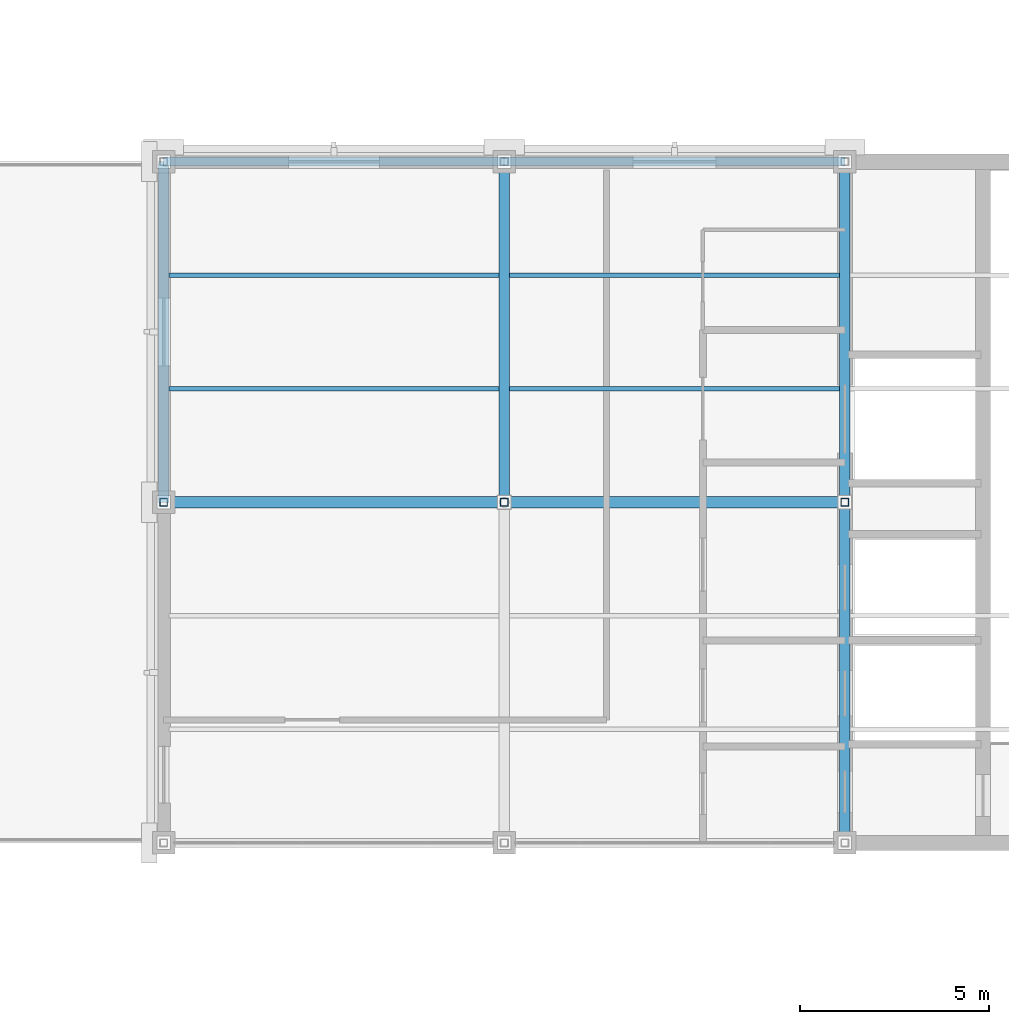
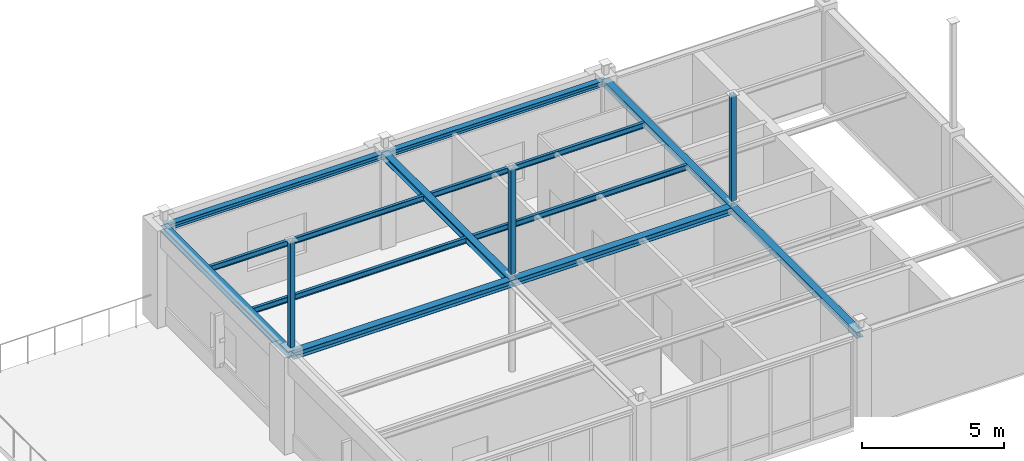
# One storey, part 63 of 97: 12 beams, 3 members.
"""IFC4 building model written with IfcOpenShell, lengths in metres."""

from ifc_helpers import new_model, si_unit, direction, frame, origin, origin_2d, place, context, subcontext, project, spatial, hollow_rectangle, i_section, extrude, material, material_profile, profile_set, type_object, element, save


model = new_model("IFC4")

# Units and contexts
model_context = context("Model", 3, precision=1e-05, world=origin(), true_north=direction((0.0, 1.0)))
body_context = subcontext(model_context, "Body", "Model", "MODEL_VIEW")
ifc_project = project(units=[si_unit("LENGTHUNIT", "METRE"), si_unit("AREAUNIT", "SQUARE_METRE"), si_unit("VOLUMEUNIT", "CUBIC_METRE"), si_unit("PLANEANGLEUNIT", "RADIAN"), si_unit("MASSUNIT", "GRAM", prefix="KILO")], contexts=[model_context])

# Site, building, storey
site_placement = place(None, origin())
site = spatial("IfcSite", under=ifc_project, at=site_placement, CompositionType="ELEMENT")
building_placement = place(site_placement, origin())
building = spatial("IfcBuilding", under=site, at=building_placement, Name="Lykobir Media Centre", CompositionType="ELEMENT")
storey_placement = place(building_placement, frame((0.0, 0.0, 23.39990234375)))
storey = spatial("IfcBuildingStorey", under=building, at=storey_placement, Name="L05", CompositionType="ELEMENT", Elevation=23.39990234375)

# Beams
ifc_material = material(Name="Steel S355", Category="steel")
ifc_material_profile_1 = material_profile(ifc_material, i_section(OverallWidth=0.280029296875, OverallDepth=0.27001953125, WebThickness=0.008056640625, FlangeThickness=0.012939453125, at=origin_2d()), Name="HEA 280")
ifc_profile_set_1 = profile_set([ifc_material_profile_1], Name="Steel S355")
beam_type_1 = type_object("IfcBeamType", Name="BM-HEA280", PredefinedType="BEAM", material=ifc_profile_set_1)
for number, where, z_axis, x_axis, name in (
    (1, (108.0, 81.0, 3.84521484375), (0.0, 1.0, 0.0), (-1.0, 0.0, 0.0), "Beam BM-L05-1080-0810-1080-0900-2724"),
    (2, (117.0, 81.0, 3.84521484375), (0.0, 1.0, 0.0), (-1.0, 0.0, 0.0), "Beam BM-L05-1170-0810-1170-0900-2724"),
    (3, (126.0, 72.0, 3.84521484375), (0.0, 1.0, 0.0), (-1.0, 0.0, 0.0), "Beam BM-L05-1260-0720-1260-0810-2724"),
    (4, (126.0, 81.0, 3.84521484375), (0.0, 1.0, 0.0), (-1.0, 0.0, 0.0), "Beam BM-L05-1260-0810-1260-0900-2724"),
):
    element("IfcBeam", number, at=place(storey_placement, frame(where, z_axis=z_axis, x_axis=x_axis)), inside=storey, type_object=beam_type_1, Name=name, PredefinedType="BEAM", context=body_context, shape_type="SweptSolid", body=[
        extrude(i_section(OverallWidth=0.280029296875, OverallDepth=0.27001953125, WebThickness=0.008056640625, FlangeThickness=0.012939453125, at=origin_2d()), origin(), (0.0, 0.0, 1.0), 9.0),
    ])
ifc_material_profile_2 = material_profile(ifc_material, i_section(OverallWidth=0.300048828125, OverallDepth=0.2900390625, WebThickness=0.008544921875, FlangeThickness=0.013916015625, at=origin_2d()), Name="HEA 300")
ifc_profile_set_2 = profile_set([ifc_material_profile_2], Name="Steel S355")
beam_type_2 = type_object("IfcBeamType", Name="BM-HEA300", PredefinedType="BEAM", material=ifc_profile_set_2)
for number, where, z_axis, x_axis, name in (
    (5, (108.0, 81.0, 3.835205078125), (1.0, 0.0, 0.0), (0.0, 1.0, 0.0), "Beam BM-L05-1080-0810-1170-0810-2724"),
    (6, (117.0, 81.0, 3.835205078125), (1.0, 0.0, 0.0), (0.0, 1.0, 0.0), "Beam BM-L05-1170-0810-1260-0810-2724"),
):
    element("IfcBeam", number, at=place(storey_placement, frame(where, z_axis=z_axis, x_axis=x_axis)), inside=storey, type_object=beam_type_2, Name=name, PredefinedType="BEAM", context=body_context, shape_type="SweptSolid", body=[
        extrude(i_section(OverallWidth=0.300048828125, OverallDepth=0.2900390625, WebThickness=0.008544921875, FlangeThickness=0.013916015625, at=origin_2d()), origin(), (0.0, 0.0, 1.0), 9.0),
    ])
ifc_material_profile_3 = material_profile(ifc_material, i_section(OverallWidth=0.1201171875, OverallDepth=0.239990234375, WebThickness=0.006103515625, FlangeThickness=0.009765625, at=origin_2d()), Name="IPE 240")
ifc_profile_set_3 = profile_set([ifc_material_profile_3], Name="Steel S355")
beam_type_3 = type_object("IfcBeamType", Name="JS-IPE240", PredefinedType="JOIST", material=ifc_profile_set_3)
for number, where, z_axis, x_axis, name in (
    (7, (108.139892578125, 84.0, 3.860107421875), (1.0, 0.0, 0.0), (0.0, 1.0, 0.0), "Beam BM-L05-1081-0840-1169-0840-2726"),
    (8, (108.139892578125, 87.0, 3.860107421875), (1.0, 0.0, 0.0), (0.0, 1.0, 0.0), "Beam BM-L05-1081-0870-1169-0870-2726"),
    (9, (117.139892578125, 84.0, 3.860107421875), (1.0, 0.0, 0.0), (0.0, 1.0, 0.0), "Beam BM-L05-1171-0840-1259-0840-2726"),
    (10, (117.139892578125, 87.0, 3.860107421875), (1.0, 0.0, 0.0), (0.0, 1.0, 0.0), "Beam BM-L05-1171-0870-1259-0870-2726"),
):
    element("IfcBeam", number, at=place(storey_placement, frame(where, z_axis=z_axis, x_axis=x_axis)), inside=storey, type_object=beam_type_3, Name=name, PredefinedType="JOIST", context=body_context, shape_type="SweptSolid", body=[
        extrude(i_section(OverallWidth=0.1201171875, OverallDepth=0.239990234375, WebThickness=0.006103515625, FlangeThickness=0.009765625, at=origin_2d()), origin(), (0.0, 0.0, 1.0), 8.72021484375),
    ])
ifc_material_profile_4 = material_profile(ifc_material, i_section(OverallWidth=0.239990234375, OverallDepth=0.22998046875, WebThickness=0.007568359375, FlangeThickness=0.011962890625, at=origin_2d()), Name="HEA 240")
ifc_profile_set_4 = profile_set([ifc_material_profile_4], Name="Steel S355")
beam_type_4 = type_object("IfcBeamType", Name="SP-HEA240", PredefinedType="SPANDREL", material=ifc_profile_set_4)
for number, where, z_axis, x_axis, name in (
    (11, (108.0, 90.0, 3.864990234375), (1.0, 0.0, 0.0), (0.0, 1.0, 0.0), "Beam BM-L05-1080-0900-1170-0900-2726"),
    (12, (117.0, 90.0, 3.864990234375), (1.0, 0.0, 0.0), (0.0, 1.0, 0.0), "Beam BM-L05-1170-0900-1260-0900-2726"),
):
    element("IfcBeam", number, at=place(storey_placement, frame(where, z_axis=z_axis, x_axis=x_axis)), inside=storey, type_object=beam_type_4, Name=name, PredefinedType="SPANDREL", context=body_context, shape_type="SweptSolid", body=[
        extrude(i_section(OverallWidth=0.239990234375, OverallDepth=0.22998046875, WebThickness=0.007568359375, FlangeThickness=0.011962890625, at=origin_2d()), origin(), (0.0, 0.0, 1.0), 9.0),
    ])

# Members
ifc_material_profile_5 = material_profile(ifc_material, hollow_rectangle(XDim=0.199951171875, YDim=0.199951171875, WallThickness=0.010009765625, at=origin_2d()), Name="SHS 200x200x10")
ifc_profile_set_5 = profile_set([ifc_material_profile_5], Name="Steel S355")
member_type = type_object("IfcMemberType", Name="TC-SHS200", PredefinedType="CHORD", material=ifc_profile_set_5)
for number, where, z_axis, x_axis, name in (
    (13, (108.0, 81.0, 4.2001953125), (0.0, 0.0, 1.0), (1.0, 0.0, 0.0), "Truss chord MEM2-L05-1080-0810-0276-1080-0810-0032"),
    (14, (117.0, 81.0, 4.2001953125), (0.0, 0.0, 1.0), (1.0, 0.0, 0.0), "Truss chord MEM2-L05-1170-0810-0276-1170-0810-0035"),
    (15, (126.0, 81.0, 4.2001953125), (0.0, 0.0, 1.0), (1.0, 0.0, 0.0), "Truss chord MEM2-L05-1260-0810-0276-1260-0810-0038"),
):
    element("IfcMember", number, at=place(storey_placement, frame(where, z_axis=z_axis, x_axis=x_axis)), inside=storey, type_object=member_type, Name=name, PredefinedType="CHORD", context=body_context, shape_type="SweptSolid", body=[
        extrude(hollow_rectangle(XDim=0.199951171875, YDim=0.199951171875, WallThickness=0.010009765625, at=origin_2d()), origin(), (0.0, 0.0, 1.0), 4.57666015625),
    ])

save(model, "model.ifc")
